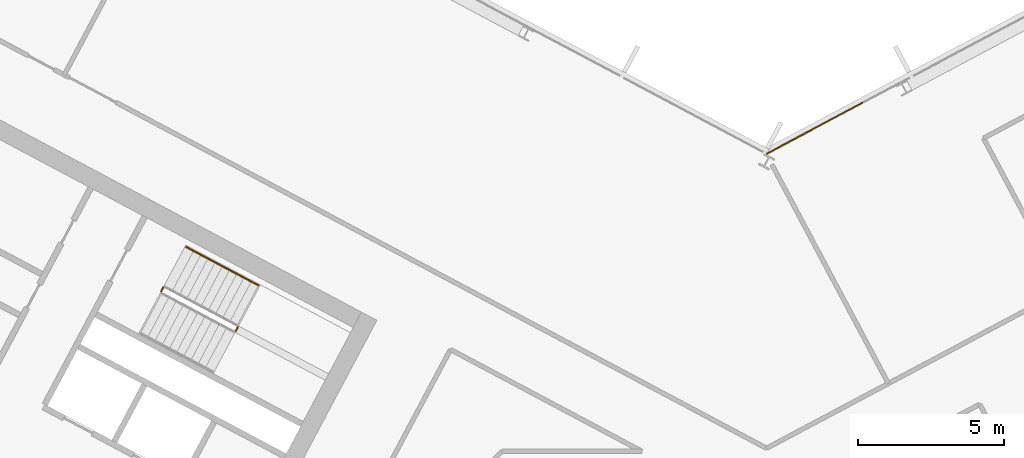
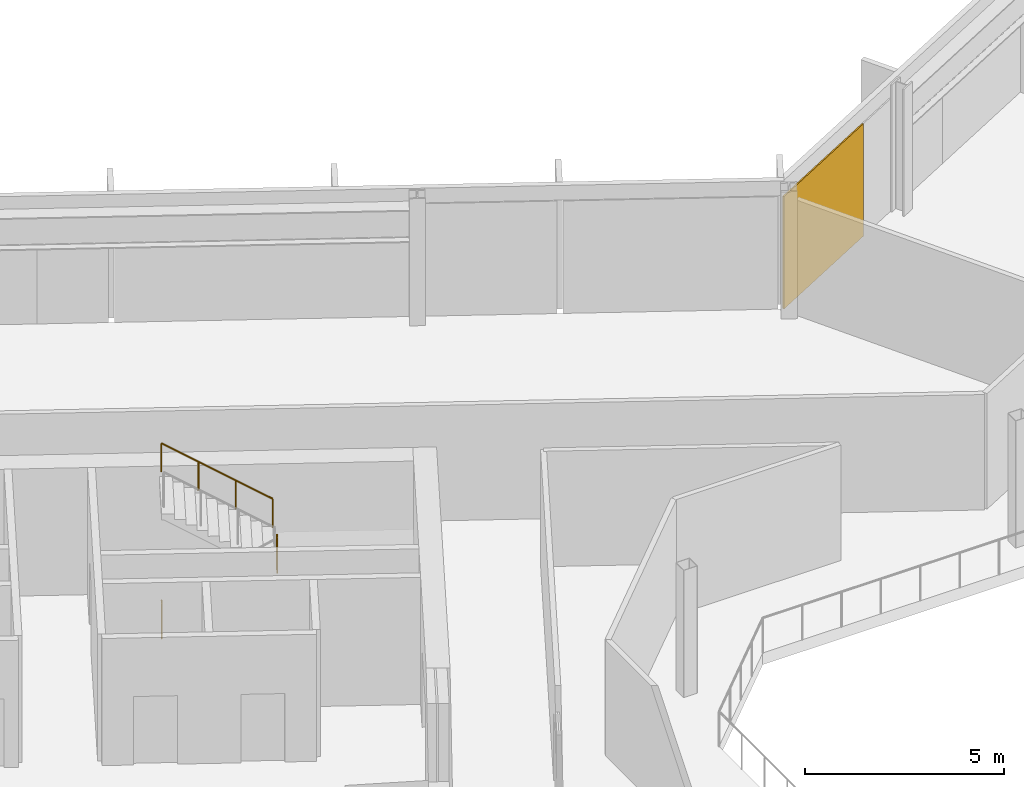
# One storey, part 22 of 26: 3 railings, 1 covering, 1 element without a shape of its own.
"""IFC4 building model written with IfcOpenShell, lengths in metres."""

from ifc_helpers import new_model, si_unit, direction, frame, origin, origin_2d, place, context, subcontext, project, spatial, polyline, rectangle, outline, extrude, material, layer, layer_set, type_object, element, aggregate, save


model = new_model("IFC4")

# Units and contexts
model_context = context("Model", 3, precision=1e-05, world=origin(), true_north=direction((0.0, 1.0)))
body_context = subcontext(model_context, "Body", "Model", "MODEL_VIEW")
ifc_project = project(units=[si_unit("LENGTHUNIT", "METRE"), si_unit("AREAUNIT", "SQUARE_METRE"), si_unit("VOLUMEUNIT", "CUBIC_METRE"), si_unit("PLANEANGLEUNIT", "RADIAN"), si_unit("MASSUNIT", "GRAM", prefix="KILO")], contexts=[model_context])

# Site, building, storey
site_placement = place(None, origin())
site = spatial("IfcSite", under=ifc_project, at=site_placement, CompositionType="ELEMENT")
building_placement = place(site_placement, origin())
building = spatial("IfcBuilding", under=site, at=building_placement, Name="Cormorant Relay Tower", CompositionType="ELEMENT")
storey_placement = place(building_placement, frame((0.0, 0.0, 213.0)))
storey = spatial("IfcBuildingStorey", under=building, at=storey_placement, Name="L46", CompositionType="ELEMENT", Elevation=213.0)

# Curtain wall, covering
ifc_material_1 = material(Name="Aluminium 6063-T6 anodised bronze", Category="aluminium")
ifc_layer_1 = layer(ifc_material_1, 0.199951171875)
ifc_layer_set_1 = layer_set([ifc_layer_1], Name="CW1 unitised bronze curtain wall with vertical fins")
curtain_wall_type = type_object("IfcCurtainWallType", Name="CW1 unitised bronze curtain wall with vertical fins", PredefinedType="NOTDEFINED", material=ifc_layer_set_1)
curtain_wall_placement = place(storey_placement, origin())
curtain_wall = element("IfcCurtainWall", 1, at=curtain_wall_placement, inside=storey, type_object=curtain_wall_type, Name="CW1 curtain wall 8", PredefinedType="NOTDEFINED")
ifc_material_2 = material(Name="Pale bronze anodised aluminium insulated panel", Category="aluminium")
ifc_layer_2 = layer(ifc_material_2, 0.0400390625)
ifc_layer_set_2 = layer_set([ifc_layer_2], Name="CW1 pale bronze insulated panel 40")
covering_type = type_object("IfcCoveringType", Name="CW1 pale bronze insulated panel 40", PredefinedType="CLADDING", material=ifc_layer_set_2)
covering_placement = place(storey_placement, frame((1.65234375, 24.685302734375, 0.0), z_axis=(0.0, 0.0, 1.0), x_axis=(-0.882947592859, -0.469471562786, 0.0)))
covering = element("IfcCovering", 2, at=covering_placement, type_object=covering_type, Name="CW1 panel S08", PredefinedType="CLADDING", context=body_context, shape_type="SweptSolid", body=[
    extrude(rectangle(XDim=3.763916015625, YDim=0.0400390625, at=origin_2d()), origin(), (0.0, 0.0, 1.0), 3.449951171875),
])
aggregate(curtain_wall, [covering])

# Railings
ifc_material_3 = material(Name="Steel ASTM A572 Grade 50 (Fy 345 MPa)", Category="steel")
railing_type_1 = type_object("IfcRailingType", Name="Stair guard 1100", PredefinedType="GUARDRAIL", material=ifc_material_3)
railing_1_placement = place(storey_placement, frame((-18.210693359375, 17.72412109375, 1.949951171875)))
element("IfcRailing", 3, at=railing_1_placement, inside=storey, type_object=railing_type_1, Name="L46 A1 stair guard 2", PredefinedType="GUARDRAIL", context=body_context, shape_type="SweptSolid", body=[
    extrude(outline(polyline([(0.022216796875, 0.00927734375), (0.00927734375, 0.022216796875), (-0.00927734375, 0.022216796875), (-0.022216796875, 0.00927734375), (-0.022216796875, -0.00927734375), (-0.00927734375, -0.022216796875), (0.00927734375, -0.022216796875), (0.022216796875, -0.00927734375), (0.022216796875, 0.00927734375)])), frame((0.0, 0.0, 1.076171875), z_axis=(0.470503732759, 0.882398003998, 0.0), x_axis=(-0.882398003998, 0.470503732759, 0.0)), (0.0, 0.0, 1.0), 0.14990234375),
    extrude(outline(polyline([(0.019287109375, 0.008056640625), (0.008056640625, 0.019287109375), (-0.008056640625, 0.019287109375), (-0.019287109375, 0.008056640625), (-0.019287109375, -0.008056640625), (-0.008056640625, -0.019287109375), (0.008056640625, -0.019287109375), (0.019287109375, -0.008056640625), (0.019287109375, 0.008056640625)])), origin(), (0.0, 0.0, 1.0), 1.052001953125),
    extrude(outline(polyline([(0.019287109375, 0.008056640625), (0.008056640625, 0.019287109375), (-0.008056640625, 0.019287109375), (-0.019287109375, 0.008056640625), (-0.019287109375, -0.008056640625), (-0.008056640625, -0.019287109375), (0.008056640625, -0.019287109375), (0.019287109375, -0.008056640625), (0.019287109375, 0.008056640625)])), frame((0.070556640625, 0.13232421875, 0.0)), (0.0, 0.0, 1.0), 1.052001953125),
])
railing_2_placement = place(storey_placement, frame((-20.771240234375, 19.08544921875, 0.0)))
element("IfcRailing", 4, at=railing_2_placement, inside=storey, type_object=railing_type_1, Name="L46 A1 stair guard 4", PredefinedType="GUARDRAIL", context=body_context, shape_type="SweptSolid", body=[
    extrude(outline(polyline([(0.022216796875, 0.00927734375), (0.00927734375, 0.022216796875), (-0.00927734375, 0.022216796875), (-0.022216796875, 0.00927734375), (-0.022216796875, -0.00927734375), (-0.00927734375, -0.022216796875), (0.00927734375, -0.022216796875), (0.022216796875, -0.00927734375), (0.022216796875, 0.00927734375)])), frame((0.0, 0.0, 1.076171875), z_axis=(0.469828648786, 0.882757634224, 0.0), x_axis=(-0.882757634224, 0.469828648786, 0.0)), (0.0, 0.0, 1.0), 0.150146484375),
    extrude(outline(polyline([(0.019287109375, 0.008056640625), (0.008056640625, 0.019287109375), (-0.008056640625, 0.019287109375), (-0.019287109375, 0.008056640625), (-0.019287109375, -0.008056640625), (-0.008056640625, -0.019287109375), (0.008056640625, -0.019287109375), (0.019287109375, -0.008056640625), (0.019287109375, 0.008056640625)])), origin(), (0.0, 0.0, 1.0), 1.052001953125),
    extrude(outline(polyline([(0.019287109375, 0.008056640625), (0.008056640625, 0.019287109375), (-0.008056640625, 0.019287109375), (-0.019287109375, 0.008056640625), (-0.019287109375, -0.008056640625), (-0.008056640625, -0.019287109375), (0.008056640625, -0.019287109375), (0.019287109375, -0.008056640625), (0.019287109375, 0.008056640625)])), frame((0.070556640625, 0.132568359375, 0.0)), (0.0, 0.0, 1.0), 1.052001953125),
])
ifc_material_4 = material(Name="Steel ASTM A572 Grade 50 (Fy 345 MPa)", Category="steel")
railing_type_2 = type_object("IfcRailingType", Name="Stair handrail 900", PredefinedType="HANDRAIL", material=ifc_material_4)
railing_3_placement = place(storey_placement, frame((-17.433349609375, 19.292724609375, 2.127197265625)))
element("IfcRailing", 5, at=railing_3_placement, inside=storey, type_object=railing_type_2, Name="L46 A1 stair handrail 2", PredefinedType="HANDRAIL", context=body_context, shape_type="SweptSolid", body=[
    extrude(outline(polyline([(0.022216796875, 0.00927734375), (0.00927734375, 0.022216796875), (-0.00927734375, 0.022216796875), (-0.022216796875, 0.00927734375), (-0.022216796875, -0.00927734375), (-0.00927734375, -0.022216796875), (0.00927734375, -0.022216796875), (0.022216796875, -0.00927734375), (0.022216796875, 0.00927734375)])), frame((0.0, 0.0, 0.8759765625), z_axis=(-0.746001213114, 0.396649272309, 0.534931345884), x_axis=(-0.469465464807, -0.882950835185, 0.0)), (0.0, 0.0, 1.0), 3.31396484375),
    extrude(outline(polyline([(0.019287109375, 0.008056640625), (0.008056640625, 0.019287109375), (-0.008056640625, 0.019287109375), (-0.019287109375, 0.008056640625), (-0.019287109375, -0.008056640625), (-0.008056640625, -0.019287109375), (0.008056640625, -0.019287109375), (0.019287109375, -0.008056640625), (0.019287109375, 0.008056640625)])), origin(), (0.0, 0.0, 1.0), 0.851806640625),
    extrude(outline(polyline([(0.019287109375, 0.008056640625), (0.008056640625, 0.019287109375), (-0.008056640625, 0.019287109375), (-0.019287109375, 0.008056640625), (-0.019287109375, -0.008056640625), (-0.008056640625, -0.019287109375), (0.008056640625, -0.019287109375), (0.019287109375, -0.008056640625), (0.019287109375, 0.008056640625)])), frame((-0.823974609375, 0.438232421875, 0.5908203125)), (0.0, 0.0, 1.0), 0.851806640625),
    extrude(outline(polyline([(0.019287109375, 0.008056640625), (0.008056640625, 0.019287109375), (-0.008056640625, 0.019287109375), (-0.019287109375, 0.008056640625), (-0.019287109375, -0.008056640625), (-0.008056640625, -0.019287109375), (0.008056640625, -0.019287109375), (0.019287109375, -0.008056640625), (0.019287109375, 0.008056640625)])), frame((-1.648193359375, 0.876220703125, 1.181884765625)), (0.0, 0.0, 1.0), 0.851806640625),
    extrude(outline(polyline([(0.019287109375, 0.008056640625), (0.008056640625, 0.019287109375), (-0.008056640625, 0.019287109375), (-0.019287109375, 0.008056640625), (-0.019287109375, -0.008056640625), (-0.008056640625, -0.019287109375), (0.008056640625, -0.019287109375), (0.019287109375, -0.008056640625), (0.019287109375, 0.008056640625)])), frame((-2.47216796875, 1.314453125, 1.772705078125)), (0.0, 0.0, 1.0), 0.851806640625),
])

save(model, "model.ifc")
